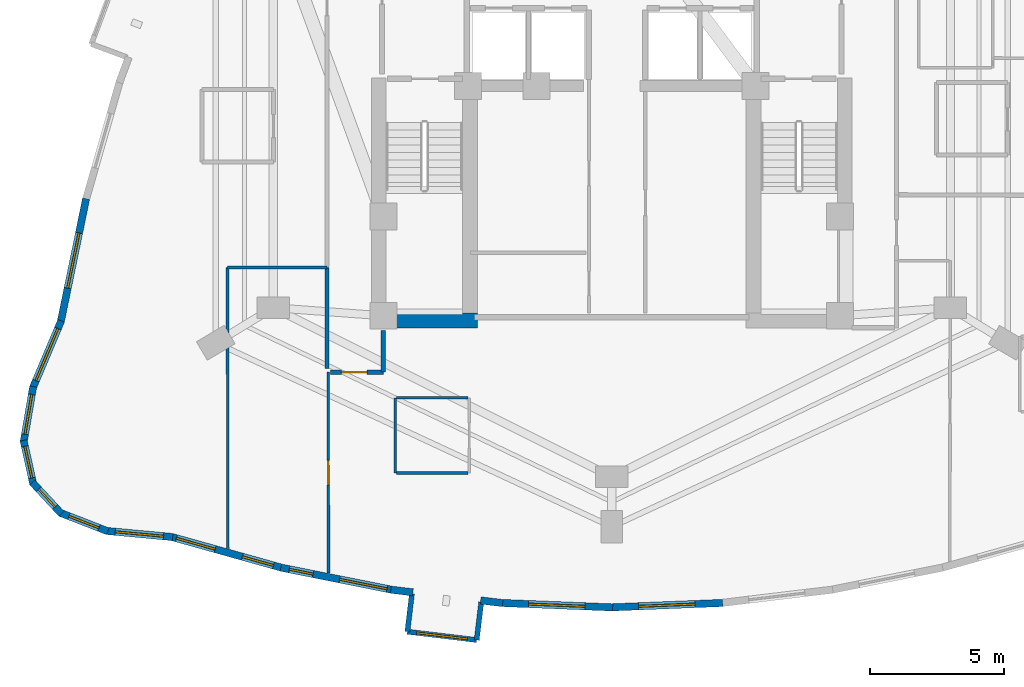
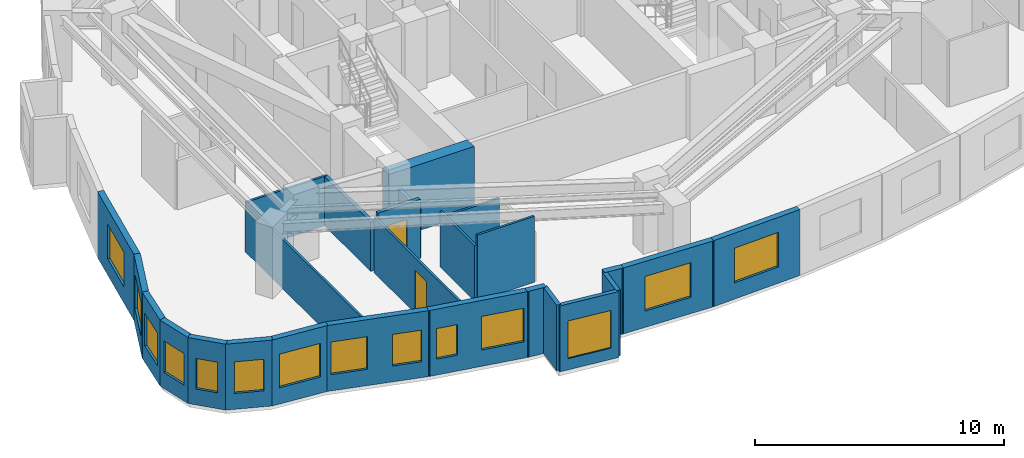
# One storey, part 4 of 10: 26 walls, 14 windows, 2 doors, 16 openings.
"""IFC4 building model written with IfcOpenShell, lengths in metres."""

from ifc_helpers import new_model, si_unit, direction, frame, frame_2d, origin, place, context, subcontext, project, spatial, rectangle, extrude, material, layer, layer_set, type_object, element, fill, save


model = new_model("IFC4")

# Units and contexts
model_context = context("Model", 3, precision=1e-05, world=origin(), true_north=direction((0.0, 1.0)))
body_context = subcontext(model_context, "Body", "Model", "MODEL_VIEW")
ifc_project = project(units=[si_unit("LENGTHUNIT", "METRE"), si_unit("AREAUNIT", "SQUARE_METRE"), si_unit("VOLUMEUNIT", "CUBIC_METRE"), si_unit("PLANEANGLEUNIT", "RADIAN"), si_unit("MASSUNIT", "GRAM", prefix="KILO")], contexts=[model_context])

# Site, building, storey
site_placement = place(None, origin())
site = spatial("IfcSite", under=ifc_project, at=site_placement, CompositionType="ELEMENT")
building_placement = place(site_placement, origin())
building = spatial("IfcBuilding", under=site, at=building_placement, Name="Miruveldt Soraemaru", CompositionType="ELEMENT")
storey_placement = place(building_placement, frame((0.0, 0.0, 121.39990234375)))
storey = spatial("IfcBuildingStorey", under=building, at=storey_placement, Name="L33", CompositionType="ELEMENT", Elevation=121.39990234375)

# Walls
ifc_material_1 = material(Name="White powder-coated aluminium EN AW-6060 T6", Category="aluminium")
ifc_layer_1 = layer(ifc_material_1, 0.18994140625, Name="White powder-coated aluminium EN AW-6060 T6", Category="aluminium")
ifc_layer_set_1 = layer_set([ifc_layer_1], Name="White powder-coated aluminium EN AW-6060 T6")
wall_type_1 = type_object("IfcWallType", Name="WALL-BAY-ALU190", PredefinedType="SOLIDWALL", material=ifc_layer_set_1)
for number, where, z_axis, x_axis, name in (
    (1, (36.5615234375, 25.156005859375, 0.0), (0.0, 0.0, 1.0), (-0.119077659317, -0.992884943511, 0.0), "L33 Bay Window Side Cheek 2L"),
    (2, (38.973388671875, 23.431396484375, 0.0), (0.0, 0.0, 1.0), (0.119077659317, 0.992884943511, 0.0), "L33 Bay Window Side Cheek 2R"),
):
    element("IfcWall", number, at=place(storey_placement, frame(where, z_axis=z_axis, x_axis=x_axis)), inside=storey, type_object=wall_type_1, Name=name, PredefinedType="SOLIDWALL", context=body_context, shape_type="SweptSolid", body=[
        extrude(rectangle(XDim=1.425048828125, YDim=0.18994140625, at=frame_2d((0.71240234375, 0.0))), origin(), (0.0, 0.0, 1.0), 3.235107421875),
    ])

# Wall, opening, window
wall_1_placement = place(storey_placement, frame((36.391845703125, 23.7412109375, 0.0), z_axis=(0.0, 0.0, 1.0), x_axis=(0.99287550549, -0.119156328397, 0.0)))
wall_1 = element("IfcWall", 3, at=wall_1_placement, inside=storey, type_object=wall_type_1, Name="L33 Bay Window Front Frame 2", PredefinedType="SOLIDWALL", context=body_context, shape_type="SweptSolid", body=[
    extrude(rectangle(XDim=2.60009765625, YDim=0.18994140625, at=frame_2d((1.300048828125, 0.0))), origin(), (0.0, 0.0, 1.0), 3.235107421875),
])
opening_1_placement = place(wall_1_placement, frame((0.35009765625, 0.0, 0.550048828125)))
opening_1 = element("IfcOpeningElement", 4, at=opening_1_placement, cuts=wall_1, Name="Opening WN-6", PredefinedType="OPENING", context=body_context, shape_type="SweptSolid", body=[
    extrude(rectangle(XDim=1.89990234375, YDim=1.85009765625, at=frame_2d((0.949951171875, 0.925048828125))), frame((0.0, 0.10498046875, 0.0), z_axis=(0.0, -1.0, 0.0), x_axis=(1.0, 0.0, 0.0)), (0.0, 0.0, 1.0), 0.2099609375),
])
ifc_material_2 = material(Name="Triple low-e insulated glazing", Category="glass")
window_type_1 = type_object("IfcWindowType", Name="WIN-BAYW-1900x1850", PartitioningType="SINGLE_PANEL", PredefinedType="WINDOW", material=ifc_material_2)
window_1_placement = place(opening_1_placement, origin())
window_1 = element("IfcWindow", 5, at=window_1_placement, inside=storey, type_object=window_type_1, Name="L33 Projecting Bay Window 2", OverallHeight=1.85009765625, OverallWidth=1.89990234375, PartitioningType="SINGLE_PANEL", PredefinedType="WINDOW", context=body_context, shape_type="SweptSolid", body=[
    extrude(rectangle(XDim=1.89990234375, YDim=1.85009765625, at=frame_2d((0.949951171875, 0.925048828125))), frame((0.0, 0.030029296875, 0.0), z_axis=(0.0, -1.0, 0.0), x_axis=(1.0, 0.0, 0.0)), (0.0, 0.0, 1.0), 0.06005859375),
])
fill(opening_1, window_1)

# Wall
ifc_material_3 = material(Name="Concrete C70/85 (70 MPa)", Category="concrete")
ifc_layer_2 = layer(ifc_material_3, 0.550048828125, Name="Concrete C70/85 (70 MPa)", Category="concrete")
ifc_layer_set_2 = layer_set([ifc_layer_2], Name="Concrete C70/85 (70 MPa)")
wall_type_2 = type_object("IfcWallType", Name="WALL-CW-550", PredefinedType="SHEAR", material=ifc_layer_set_2)
wall_2_placement = place(storey_placement, frame((35.050048828125, 35.324951171875, 0.0), z_axis=(0.0, 0.0, 1.0), x_axis=(1.0, 0.0, 0.0)))
element("IfcWall", 6, at=wall_2_placement, inside=storey, type_object=wall_type_2, Name="L33 Central Core Shear Wall S1", PredefinedType="SHEAR", context=body_context, shape_type="SweptSolid", body=[
    extrude(rectangle(XDim=3.949951171875, YDim=0.550048828125, at=frame_2d((1.97509765625, 0.0))), origin(), (0.0, 0.0, 1.0), 3.235107421875),
])

# Wall, opening, window
ifc_material_4 = material(Name="Precast concrete C45/55 (45 MPa)", Category="concrete")
ifc_layer_3 = layer(ifc_material_4, 0.27001953125, Name="Precast concrete C45/55 (45 MPa)", Category="concrete")
ifc_layer_set_3 = layer_set([ifc_layer_3], Name="Precast concrete C45/55 (45 MPa)")
wall_type_3 = type_object("IfcWallType", Name="WALL-EXT-PC270", PredefinedType="SOLIDWALL", material=ifc_layer_set_3)
wall_3_placement = place(storey_placement, frame((24.433837890625, 39.861083984375, 0.0), z_axis=(0.0, 0.0, 1.0), x_axis=(-0.201556379957, -0.979476914327, 0.0)))
wall_3 = element("IfcWall", 7, at=wall_3_placement, inside=storey, type_object=wall_type_3, Name="L33 Precast Concrete Facade Wall 14", PredefinedType="SOLIDWALL", context=body_context, shape_type="SweptSolid", body=[
    extrude(rectangle(XDim=4.70947265625, YDim=0.27001953125, at=frame_2d((2.354736328125, 0.0))), origin(), (0.0, 0.0, 1.0), 3.235107421875),
])
opening_2_placement = place(wall_3_placement, frame((1.303955078125, 0.0, 0.800048828125)))
opening_2 = element("IfcOpeningElement", 8, at=opening_2_placement, cuts=wall_3, Name="Opening WN-1", PredefinedType="OPENING", context=body_context, shape_type="SweptSolid", body=[
    extrude(rectangle(XDim=2.10009765625, YDim=1.699951171875, at=frame_2d((1.050048828125, 0.85009765625))), frame((0.0, 0.14501953125, 0.0), z_axis=(0.0, -1.0, 0.0), x_axis=(1.0, 0.0, 0.0)), (0.0, 0.0, 1.0), 0.2900390625),
])
window_type_2 = type_object("IfcWindowType", Name="WIN-PUNCH-2100x1700", PartitioningType="SINGLE_PANEL", PredefinedType="WINDOW", material=ifc_material_2)
window_2_placement = place(opening_2_placement, origin())
window_2 = element("IfcWindow", 9, at=window_2_placement, inside=storey, type_object=window_type_2, Name="L33 Punched Triple-Glazed Window 14.1", OverallHeight=1.699951171875, OverallWidth=2.10009765625, PartitioningType="SINGLE_PANEL", PredefinedType="WINDOW", context=body_context, shape_type="SweptSolid", body=[
    extrude(rectangle(XDim=2.10009765625, YDim=1.699951171875, at=frame_2d((1.050048828125, 0.85009765625))), frame((0.0, 0.030029296875, 0.0), z_axis=(0.0, -1.0, 0.0), x_axis=(1.0, 0.0, 0.0)), (0.0, 0.0, 1.0), 0.06005859375),
])
fill(opening_2, window_2)

wall_4_placement = place(storey_placement, frame((23.505126953125, 35.31494140625, 0.0), z_axis=(0.0, 0.0, 1.0), x_axis=(-0.388620980752, -0.921397706378, 0.0)))
wall_4 = element("IfcWall", 10, at=wall_4_placement, inside=storey, type_object=wall_type_3, Name="L33 Precast Concrete Facade Wall 15", PredefinedType="SOLIDWALL", context=body_context, shape_type="SweptSolid", body=[
    extrude(rectangle(XDim=2.728271484375, YDim=0.27001953125, at=frame_2d((1.3642578125, 0.0))), origin(), (0.0, 0.0, 1.0), 3.235107421875),
])
opening_3_placement = place(wall_4_placement, frame((0.31396484375, 0.0, 0.800048828125)))
opening_3 = element("IfcOpeningElement", 11, at=opening_3_placement, cuts=wall_4, Name="Opening WN-1", PredefinedType="OPENING", context=body_context, shape_type="SweptSolid", body=[
    extrude(rectangle(XDim=2.10009765625, YDim=1.699951171875, at=frame_2d((1.050048828125, 0.85009765625))), frame((0.0, 0.14501953125, 0.0), z_axis=(0.0, -1.0, 0.0), x_axis=(1.0, 0.0, 0.0)), (0.0, 0.0, 1.0), 0.2900390625),
])
window_3_placement = place(opening_3_placement, origin())
window_3 = element("IfcWindow", 12, at=window_3_placement, inside=storey, type_object=window_type_2, Name="L33 Punched Triple-Glazed Window 15.1", OverallHeight=1.699951171875, OverallWidth=2.10009765625, PartitioningType="SINGLE_PANEL", PredefinedType="WINDOW", context=body_context, shape_type="SweptSolid", body=[
    extrude(rectangle(XDim=2.10009765625, YDim=1.699951171875, at=frame_2d((1.050048828125, 0.85009765625))), frame((0.0, 0.030029296875, 0.0), z_axis=(0.0, -1.0, 0.0), x_axis=(1.0, 0.0, 0.0)), (0.0, 0.0, 1.0), 0.06005859375),
])
fill(opening_3, window_3)

wall_5_placement = place(storey_placement, frame((22.46435546875, 32.867919921875, 0.0), z_axis=(0.0, 0.0, 1.0), x_axis=(-0.169234430957, -0.985575825281, 0.0)))
wall_5 = element("IfcWall", 13, at=wall_5_placement, inside=storey, type_object=wall_type_3, Name="L33 Precast Concrete Facade Wall 16", PredefinedType="SOLIDWALL", context=body_context, shape_type="SweptSolid", body=[
    extrude(rectangle(XDim=2.103271484375, YDim=0.27001953125, at=frame_2d((1.0517578125, 0.0))), origin(), (0.0, 0.0, 1.0), 3.235107421875),
])
opening_4_placement = place(wall_5_placement, frame((0.302001953125, 0.0, 0.800048828125)))
opening_4 = element("IfcOpeningElement", 14, at=opening_4_placement, cuts=wall_5, Name="Opening WN-3", PredefinedType="OPENING", context=body_context, shape_type="SweptSolid", body=[
    extrude(rectangle(XDim=1.5, YDim=1.60009765625, at=frame_2d((0.75, 0.800048828125))), frame((0.0, 0.14501953125, 0.0), z_axis=(0.0, -1.0, 0.0), x_axis=(1.0, 0.0, 0.0)), (0.0, 0.0, 1.0), 0.2900390625),
])
window_type_3 = type_object("IfcWindowType", Name="WIN-PUNCH-1500x1600", PartitioningType="SINGLE_PANEL", PredefinedType="WINDOW", material=ifc_material_2)
window_4_placement = place(opening_4_placement, origin())
window_4 = element("IfcWindow", 15, at=window_4_placement, inside=storey, type_object=window_type_3, Name="L33 Punched Triple-Glazed Window 16.1", OverallHeight=1.60009765625, OverallWidth=1.5, PartitioningType="SINGLE_PANEL", PredefinedType="WINDOW", context=body_context, shape_type="SweptSolid", body=[
    extrude(rectangle(XDim=1.5, YDim=1.60009765625, at=frame_2d((0.75, 0.800048828125))), frame((0.0, 0.030029296875, 0.0), z_axis=(0.0, -1.0, 0.0), x_axis=(1.0, 0.0, 0.0)), (0.0, 0.0, 1.0), 0.06005859375),
])
fill(opening_4, window_4)

wall_6_placement = place(storey_placement, frame((22.106689453125, 30.863525390625, 0.0), z_axis=(0.0, 0.0, 1.0), x_axis=(0.215658248495, -0.976468903681, 0.0)))
wall_6 = element("IfcWall", 16, at=wall_6_placement, inside=storey, type_object=wall_type_3, Name="L33 Precast Concrete Facade Wall 17", PredefinedType="SOLIDWALL", context=body_context, shape_type="SweptSolid", body=[
    extrude(rectangle(XDim=1.66650390625, YDim=0.27001953125, at=frame_2d((0.833251953125, 0.0))), origin(), (0.0, 0.0, 1.0), 3.235107421875),
])
opening_5_placement = place(wall_6_placement, frame((0.23291015625, 0.0, 0.780029296875)))
opening_5 = element("IfcOpeningElement", 17, at=opening_5_placement, cuts=wall_6, Name="Opening WN-4", PredefinedType="OPENING", context=body_context, shape_type="SweptSolid", body=[
    extrude(rectangle(XDim=1.199951171875, YDim=1.550048828125, at=frame_2d((0.60009765625, 0.77490234375))), frame((0.0, 0.14501953125, 0.0), z_axis=(0.0, -1.0, 0.0), x_axis=(1.0, 0.0, 0.0)), (0.0, 0.0, 1.0), 0.2900390625),
])
window_type_4 = type_object("IfcWindowType", Name="WIN-PUNCH-1200x1550", PartitioningType="SINGLE_PANEL", PredefinedType="WINDOW", material=ifc_material_2)
window_5_placement = place(opening_5_placement, origin())
window_5 = element("IfcWindow", 18, at=window_5_placement, inside=storey, type_object=window_type_4, Name="L33 Punched Triple-Glazed Window 17.1", OverallHeight=1.550048828125, OverallWidth=1.199951171875, PartitioningType="SINGLE_PANEL", PredefinedType="WINDOW", context=body_context, shape_type="SweptSolid", body=[
    extrude(rectangle(XDim=1.199951171875, YDim=1.550048828125, at=frame_2d((0.60009765625, 0.77490234375))), frame((0.0, 0.030029296875, 0.0), z_axis=(0.0, -1.0, 0.0), x_axis=(1.0, 0.0, 0.0)), (0.0, 0.0, 1.0), 0.06005859375),
])
fill(opening_5, window_5)

wall_7_placement = place(storey_placement, frame((22.434814453125, 29.29638671875, 0.0), z_axis=(0.0, 0.0, 1.0), x_axis=(0.680103285959, -0.733116307572, 0.0)))
wall_7 = element("IfcWall", 19, at=wall_7_placement, inside=storey, type_object=wall_type_3, Name="L33 Precast Concrete Facade Wall 18", PredefinedType="SOLIDWALL", context=body_context, shape_type="SweptSolid", body=[
    extrude(rectangle(XDim=1.5888671875, YDim=0.27001953125, at=frame_2d((0.79443359375, 0.0))), origin(), (0.0, 0.0, 1.0), 3.235107421875),
])
opening_6_placement = place(wall_7_placement, frame((0.343994140625, 0.0, 0.780029296875)))
opening_6 = element("IfcOpeningElement", 20, at=opening_6_placement, cuts=wall_7, Name="Opening WN-7", PredefinedType="OPENING", context=body_context, shape_type="SweptSolid", body=[
    extrude(rectangle(XDim=0.89990234375, YDim=1.5, at=frame_2d((0.449951171875, 0.75))), frame((0.0, 0.14501953125, 0.0), z_axis=(0.0, -1.0, 0.0), x_axis=(1.0, 0.0, 0.0)), (0.0, 0.0, 1.0), 0.2900390625),
])
window_type_5 = type_object("IfcWindowType", Name="WIN-PUNCH-900x1500", PartitioningType="SINGLE_PANEL", PredefinedType="WINDOW", material=ifc_material_2)
window_6_placement = place(opening_6_placement, origin())
window_6 = element("IfcWindow", 21, at=window_6_placement, inside=storey, type_object=window_type_5, Name="L33 Punched Triple-Glazed Window 18.1", OverallHeight=1.5, OverallWidth=0.89990234375, PartitioningType="SINGLE_PANEL", PredefinedType="WINDOW", context=body_context, shape_type="SweptSolid", body=[
    extrude(rectangle(XDim=0.89990234375, YDim=1.5, at=frame_2d((0.449951171875, 0.75))), frame((0.0, 0.030029296875, 0.0), z_axis=(0.0, -1.0, 0.0), x_axis=(1.0, 0.0, 0.0)), (0.0, 0.0, 1.0), 0.06005859375),
])
fill(opening_6, window_6)

wall_8_placement = place(storey_placement, frame((23.458984375, 28.169921875, 0.0), z_axis=(0.0, 0.0, 1.0), x_axis=(0.932274534564, -0.361751561438, 0.0)))
wall_8 = element("IfcWall", 22, at=wall_8_placement, inside=storey, type_object=wall_type_3, Name="L33 Precast Concrete Facade Wall 19", PredefinedType="SOLIDWALL", context=body_context, shape_type="SweptSolid", body=[
    extrude(rectangle(XDim=1.916748046875, YDim=0.27001953125, at=frame_2d((0.95849609375, 0.0))), origin(), (0.0, 0.0, 1.0), 3.235107421875),
])
opening_7_placement = place(wall_8_placement, frame((0.35888671875, 0.0, 0.780029296875)))
opening_7 = element("IfcOpeningElement", 23, at=opening_7_placement, cuts=wall_8, Name="Opening WN-4", PredefinedType="OPENING", context=body_context, shape_type="SweptSolid", body=[
    extrude(rectangle(XDim=1.199951171875, YDim=1.550048828125, at=frame_2d((0.60009765625, 0.77490234375))), frame((0.0, 0.14501953125, 0.0), z_axis=(0.0, -1.0, 0.0), x_axis=(1.0, 0.0, 0.0)), (0.0, 0.0, 1.0), 0.2900390625),
])
window_7_placement = place(opening_7_placement, origin())
window_7 = element("IfcWindow", 24, at=window_7_placement, inside=storey, type_object=window_type_4, Name="L33 Punched Triple-Glazed Window 19.1", OverallHeight=1.550048828125, OverallWidth=1.199951171875, PartitioningType="SINGLE_PANEL", PredefinedType="WINDOW", context=body_context, shape_type="SweptSolid", body=[
    extrude(rectangle(XDim=1.199951171875, YDim=1.550048828125, at=frame_2d((0.60009765625, 0.77490234375))), frame((0.0, 0.030029296875, 0.0), z_axis=(0.0, -1.0, 0.0), x_axis=(1.0, 0.0, 0.0)), (0.0, 0.0, 1.0), 0.06005859375),
])
fill(opening_7, window_7)

wall_9_placement = place(storey_placement, frame((25.178466796875, 27.492431640625, 0.0), z_axis=(0.0, 0.0, 1.0), x_axis=(0.995755492047, -0.092038035932, 0.0)))
wall_9 = element("IfcWall", 25, at=wall_9_placement, inside=storey, type_object=wall_type_3, Name="L33 Precast Concrete Facade Wall 20", PredefinedType="SOLIDWALL", context=body_context, shape_type="SweptSolid", body=[
    extrude(rectangle(XDim=2.49072265625, YDim=0.27001953125, at=frame_2d((1.245361328125, 0.0))), origin(), (0.0, 0.0, 1.0), 3.235107421875),
])
opening_8_placement = place(wall_9_placement, frame((0.345947265625, 0.0, 0.800048828125)))
opening_8 = element("IfcOpeningElement", 26, at=opening_8_placement, cuts=wall_9, Name="Opening WN-2", PredefinedType="OPENING", context=body_context, shape_type="SweptSolid", body=[
    extrude(rectangle(XDim=1.800048828125, YDim=1.64990234375, at=frame_2d((0.89990234375, 0.824951171875))), frame((0.0, 0.14501953125, 0.0), z_axis=(0.0, -1.0, 0.0), x_axis=(1.0, 0.0, 0.0)), (0.0, 0.0, 1.0), 0.2900390625),
])
window_type_6 = type_object("IfcWindowType", Name="WIN-PUNCH-1800x1650", PartitioningType="SINGLE_PANEL", PredefinedType="WINDOW", material=ifc_material_2)
window_8_placement = place(opening_8_placement, origin())
window_8 = element("IfcWindow", 27, at=window_8_placement, inside=storey, type_object=window_type_6, Name="L33 Punched Triple-Glazed Window 20.1", OverallHeight=1.64990234375, OverallWidth=1.800048828125, PartitioningType="SINGLE_PANEL", PredefinedType="WINDOW", context=body_context, shape_type="SweptSolid", body=[
    extrude(rectangle(XDim=1.800048828125, YDim=1.64990234375, at=frame_2d((0.89990234375, 0.824951171875))), frame((0.0, 0.030029296875, 0.0), z_axis=(0.0, -1.0, 0.0), x_axis=(1.0, 0.0, 0.0)), (0.0, 0.0, 1.0), 0.06005859375),
])
fill(opening_8, window_8)

# Wall, openings, windows
wall_10_placement = place(storey_placement, frame((27.590087890625, 27.27587890625, 0.0), z_axis=(0.0, 0.0, 1.0), x_axis=(0.96297692647, -0.269583825714, 0.0)))
wall_10 = element("IfcWall", 28, at=wall_10_placement, inside=storey, type_object=wall_type_3, Name="L33 Precast Concrete Facade Wall 21", PredefinedType="SOLIDWALL", context=body_context, shape_type="SweptSolid", body=[
    extrude(rectangle(XDim=4.321533203125, YDim=0.27001953125, at=frame_2d((2.16064453125, 0.0))), origin(), (0.0, 0.0, 1.0), 3.235107421875),
])
opening_9_placement = place(wall_10_placement, frame((0.2119140625, 0.0, 0.800048828125)))
opening_9 = element("IfcOpeningElement", 29, at=opening_9_placement, cuts=wall_10, Name="Opening WN-3", PredefinedType="OPENING", context=body_context, shape_type="SweptSolid", body=[
    extrude(rectangle(XDim=1.5, YDim=1.60009765625, at=frame_2d((0.75, 0.800048828125))), frame((0.0, 0.14501953125, 0.0), z_axis=(0.0, -1.0, 0.0), x_axis=(1.0, 0.0, 0.0)), (0.0, 0.0, 1.0), 0.2900390625),
])
opening_10_placement = place(wall_10_placement, frame((2.762939453125, 0.0, 0.780029296875)))
opening_10 = element("IfcOpeningElement", 30, at=opening_10_placement, cuts=wall_10, Name="Opening WN-4", PredefinedType="OPENING", context=body_context, shape_type="SweptSolid", body=[
    extrude(rectangle(XDim=1.199951171875, YDim=1.550048828125, at=frame_2d((0.60009765625, 0.77490234375))), frame((0.0, 0.14501953125, 0.0), z_axis=(0.0, -1.0, 0.0), x_axis=(1.0, 0.0, 0.0)), (0.0, 0.0, 1.0), 0.2900390625),
])
window_9_placement = place(opening_10_placement, origin())
window_9 = element("IfcWindow", 31, at=window_9_placement, inside=storey, type_object=window_type_4, Name="L33 Punched Triple-Glazed Window 21.2", OverallHeight=1.550048828125, OverallWidth=1.199951171875, PartitioningType="SINGLE_PANEL", PredefinedType="WINDOW", context=body_context, shape_type="SweptSolid", body=[
    extrude(rectangle(XDim=1.199951171875, YDim=1.550048828125, at=frame_2d((0.60009765625, 0.77490234375))), frame((0.0, 0.030029296875, 0.0), z_axis=(0.0, -1.0, 0.0), x_axis=(1.0, 0.0, 0.0)), (0.0, 0.0, 1.0), 0.06005859375),
])
fill(opening_10, window_9)
window_10_placement = place(opening_9_placement, origin())
window_10 = element("IfcWindow", 32, at=window_10_placement, inside=storey, type_object=window_type_3, Name="L33 Punched Triple-Glazed Window 21.1", OverallHeight=1.60009765625, OverallWidth=1.5, PartitioningType="SINGLE_PANEL", PredefinedType="WINDOW", context=body_context, shape_type="SweptSolid", body=[
    extrude(rectangle(XDim=1.5, YDim=1.60009765625, at=frame_2d((0.75, 0.800048828125))), frame((0.0, 0.030029296875, 0.0), z_axis=(0.0, -1.0, 0.0), x_axis=(1.0, 0.0, 0.0)), (0.0, 0.0, 1.0), 0.06005859375),
])
fill(opening_9, window_10)

wall_11_placement = place(storey_placement, frame((31.68359375, 26.127197265625, 0.0), z_axis=(0.0, 0.0, 1.0), x_axis=(0.980569614244, -0.196171434263, 0.0)))
wall_11 = element("IfcWall", 33, at=wall_11_placement, inside=storey, type_object=wall_type_3, Name="L33 Precast Concrete Facade Wall 22", PredefinedType="SOLIDWALL", context=body_context, shape_type="SweptSolid", body=[
    extrude(rectangle(XDim=4.2451171875, YDim=0.27001953125, at=frame_2d((2.12255859375, 0.0))), origin(), (0.0, 0.0, 1.0), 3.235107421875),
])
opening_11_placement = place(wall_11_placement, frame((0.320068359375, 0.0, 0.780029296875)))
opening_11 = element("IfcOpeningElement", 34, at=opening_11_placement, cuts=wall_11, Name="Opening WN-7", PredefinedType="OPENING", context=body_context, shape_type="SweptSolid", body=[
    extrude(rectangle(XDim=0.89990234375, YDim=1.5, at=frame_2d((0.449951171875, 0.75))), frame((0.0, 0.14501953125, 0.0), z_axis=(0.0, -1.0, 0.0), x_axis=(1.0, 0.0, 0.0)), (0.0, 0.0, 1.0), 0.2900390625),
])
opening_12_placement = place(wall_11_placement, frame((2.23291015625, 0.0, 0.800048828125)))
opening_12 = element("IfcOpeningElement", 35, at=opening_12_placement, cuts=wall_11, Name="Opening WN-2", PredefinedType="OPENING", context=body_context, shape_type="SweptSolid", body=[
    extrude(rectangle(XDim=1.800048828125, YDim=1.64990234375, at=frame_2d((0.89990234375, 0.824951171875))), frame((0.0, 0.14501953125, 0.0), z_axis=(0.0, -1.0, 0.0), x_axis=(1.0, 0.0, 0.0)), (0.0, 0.0, 1.0), 0.2900390625),
])
window_11_placement = place(opening_12_placement, origin())
window_11 = element("IfcWindow", 36, at=window_11_placement, inside=storey, type_object=window_type_6, Name="L33 Punched Triple-Glazed Window 22.2", OverallHeight=1.64990234375, OverallWidth=1.800048828125, PartitioningType="SINGLE_PANEL", PredefinedType="WINDOW", context=body_context, shape_type="SweptSolid", body=[
    extrude(rectangle(XDim=1.800048828125, YDim=1.64990234375, at=frame_2d((0.89990234375, 0.824951171875))), frame((0.0, 0.030029296875, 0.0), z_axis=(0.0, -1.0, 0.0), x_axis=(1.0, 0.0, 0.0)), (0.0, 0.0, 1.0), 0.06005859375),
])
fill(opening_12, window_11)
window_12_placement = place(opening_11_placement, origin())
window_12 = element("IfcWindow", 37, at=window_12_placement, inside=storey, type_object=window_type_5, Name="L33 Punched Triple-Glazed Window 22.1", OverallHeight=1.5, OverallWidth=0.89990234375, PartitioningType="SINGLE_PANEL", PredefinedType="WINDOW", context=body_context, shape_type="SweptSolid", body=[
    extrude(rectangle(XDim=0.89990234375, YDim=1.5, at=frame_2d((0.449951171875, 0.75))), frame((0.0, 0.030029296875, 0.0), z_axis=(0.0, -1.0, 0.0), x_axis=(1.0, 0.0, 0.0)), (0.0, 0.0, 1.0), 0.06005859375),
])
fill(opening_11, window_12)

# Walls
wall_12_placement = place(storey_placement, frame((35.777099609375, 25.3056640625, 0.0), z_axis=(0.0, 0.0, 1.0), x_axis=(0.992857261486, -0.119308249149, 0.0)))
element("IfcWall", 38, at=wall_12_placement, inside=storey, type_object=wall_type_3, Name="L33 Precast Pier Wall 23A", PredefinedType="SOLIDWALL", context=body_context, shape_type="SweptSolid", body=[
    extrude(rectangle(XDim=0.82666015625, YDim=0.27001953125, at=frame_2d((0.413330078125, 0.0))), origin(), (0.0, 0.0, 1.0), 3.235107421875),
])
wall_13_placement = place(storey_placement, frame((39.119873046875, 24.904541015625, 0.0), z_axis=(0.0, 0.0, 1.0), x_axis=(0.992861463322, -0.119273277188, 0.0)))
element("IfcWall", 39, at=wall_13_placement, inside=storey, type_object=wall_type_3, Name="L33 Precast Pier Wall 23B", PredefinedType="SOLIDWALL", context=body_context, shape_type="SweptSolid", body=[
    extrude(rectangle(XDim=0.826904296875, YDim=0.27001953125, at=frame_2d((0.41357421875, 0.0))), origin(), (0.0, 0.0, 1.0), 3.235107421875),
])

# Wall, opening, window
wall_14_placement = place(storey_placement, frame((39.87109375, 24.8115234375, 0.0), z_axis=(0.0, 0.0, 1.0), x_axis=(0.999201426601, -0.039956339662, 0.0)))
wall_14 = element("IfcWall", 40, at=wall_14_placement, inside=storey, type_object=wall_type_3, Name="L33 Precast Concrete Facade Wall 24", PredefinedType="SOLIDWALL", context=body_context, shape_type="SweptSolid", body=[
    extrude(rectangle(XDim=4.167236328125, YDim=0.27001953125, at=frame_2d((2.08349609375, 0.0))), origin(), (0.0, 0.0, 1.0), 3.235107421875),
])
opening_13_placement = place(wall_14_placement, frame((1.032958984375, 0.0, 0.800048828125)))
opening_13 = element("IfcOpeningElement", 41, at=opening_13_placement, cuts=wall_14, Name="Opening WN-1", PredefinedType="OPENING", context=body_context, shape_type="SweptSolid", body=[
    extrude(rectangle(XDim=2.10009765625, YDim=1.699951171875, at=frame_2d((1.050048828125, 0.85009765625))), frame((0.0, 0.14501953125, 0.0), z_axis=(0.0, -1.0, 0.0), x_axis=(1.0, 0.0, 0.0)), (0.0, 0.0, 1.0), 0.2900390625),
])
window_13_placement = place(opening_13_placement, origin())
window_13 = element("IfcWindow", 42, at=window_13_placement, inside=storey, type_object=window_type_2, Name="L33 Punched Triple-Glazed Window 24.1", OverallHeight=1.699951171875, OverallWidth=2.10009765625, PartitioningType="SINGLE_PANEL", PredefinedType="WINDOW", context=body_context, shape_type="SweptSolid", body=[
    extrude(rectangle(XDim=2.10009765625, YDim=1.699951171875, at=frame_2d((1.050048828125, 0.85009765625))), frame((0.0, 0.030029296875, 0.0), z_axis=(0.0, -1.0, 0.0), x_axis=(1.0, 0.0, 0.0)), (0.0, 0.0, 1.0), 0.06005859375),
])
fill(opening_13, window_13)

wall_15_placement = place(storey_placement, frame((43.965087890625, 24.64501953125, 0.0), z_axis=(0.0, 0.0, 1.0), x_axis=(0.999201426601, 0.039956339662, 0.0)))
wall_15 = element("IfcWall", 43, at=wall_15_placement, inside=storey, type_object=wall_type_3, Name="L33 Precast Concrete Facade Wall 25", PredefinedType="SOLIDWALL", context=body_context, shape_type="SweptSolid", body=[
    extrude(rectangle(XDim=4.167236328125, YDim=0.27001953125, at=frame_2d((2.08349609375, 0.0))), origin(), (0.0, 0.0, 1.0), 3.235107421875),
])
opening_14_placement = place(wall_15_placement, frame((1.032958984375, 0.0, 0.800048828125)))
opening_14 = element("IfcOpeningElement", 44, at=opening_14_placement, cuts=wall_15, Name="Opening WN-1", PredefinedType="OPENING", context=body_context, shape_type="SweptSolid", body=[
    extrude(rectangle(XDim=2.10009765625, YDim=1.699951171875, at=frame_2d((1.050048828125, 0.85009765625))), frame((0.0, 0.14501953125, 0.0), z_axis=(0.0, -1.0, 0.0), x_axis=(1.0, 0.0, 0.0)), (0.0, 0.0, 1.0), 0.2900390625),
])
window_14_placement = place(opening_14_placement, origin())
window_14 = element("IfcWindow", 45, at=window_14_placement, inside=storey, type_object=window_type_2, Name="L33 Punched Triple-Glazed Window 25.1", OverallHeight=1.699951171875, OverallWidth=2.10009765625, PartitioningType="SINGLE_PANEL", PredefinedType="WINDOW", context=body_context, shape_type="SweptSolid", body=[
    extrude(rectangle(XDim=2.10009765625, YDim=1.699951171875, at=frame_2d((1.050048828125, 0.85009765625))), frame((0.0, 0.030029296875, 0.0), z_axis=(0.0, -1.0, 0.0), x_axis=(1.0, 0.0, 0.0)), (0.0, 0.0, 1.0), 0.06005859375),
])
fill(opening_14, window_14)

# Wall, opening, door
ifc_material_5 = material(Name="Gypsum plasterboard lining", Category="gypsum")
ifc_layer_4 = layer(ifc_material_5, 0.10009765625, Name="Gypsum plasterboard lining", Category="gypsum")
ifc_layer_set_4 = layer_set([ifc_layer_4], Name="Gypsum plasterboard lining")
wall_type_4 = type_object("IfcWallType", Name="WALL-INT-P100", PredefinedType="PARTITIONING", material=ifc_layer_set_4)
wall_16_placement = place(storey_placement, frame((33.444091796875, 33.39990234375, 0.0), z_axis=(0.0, 0.0, 1.0), x_axis=(0.001861707588, -0.999998267021, 0.0)))
wall_16 = element("IfcWall", 46, at=wall_16_placement, inside=storey, type_object=wall_type_4, Name="L33 Partition Wall 34", PredefinedType="PARTITIONING", context=body_context, shape_type="SweptSolid", body=[
    extrude(rectangle(XDim=7.474853515625, YDim=0.10009765625, at=frame_2d((3.7373046875, 0.0))), origin(), (0.0, 0.0, 1.0), 2.72314453125),
])
opening_15_placement = place(wall_16_placement, frame((3.278076171875, 0.0, 0.0)))
opening_15 = element("IfcOpeningElement", 47, at=opening_15_placement, cuts=wall_16, Name="Opening D3A", PredefinedType="OPENING", context=body_context, shape_type="SweptSolid", body=[
    extrude(rectangle(XDim=0.919921875, YDim=2.10009765625, at=frame_2d((0.4599609375, 1.050048828125))), frame((0.0, 0.06005859375, 0.0), z_axis=(0.0, -1.0, 0.0), x_axis=(1.0, 0.0, 0.0)), (0.0, 0.0, 1.0), 0.1201171875),
])
ifc_material_6 = material(Name="Anodised aluminium EN AW-6063 T6", Category="aluminium")
door_type_1 = type_object("IfcDoorType", Name="DOOR-INT-920", OperationType="NOTDEFINED", PredefinedType="DOOR", material=ifc_material_6)
door_1_placement = place(opening_15_placement, origin())
door_1 = element("IfcDoor", 48, at=door_1_placement, inside=storey, type_object=door_type_1, Name="L33 Unit 3304 BD3 Door", OperationType="SINGLE_SWING_LEFT", OverallHeight=2.10009765625, OverallWidth=0.919921875, PredefinedType="DOOR", context=body_context, shape_type="SweptSolid", body=[
    extrude(rectangle(XDim=0.919921875, YDim=2.10009765625, at=frame_2d((0.4599609375, 1.050048828125))), frame((0.0, 0.02490234375, 0.0), z_axis=(0.0, -1.0, 0.0), x_axis=(1.0, 0.0, 0.0)), (0.0, 0.0, 1.0), 0.050048828125),
])
fill(opening_15, door_1)

# Walls
wall_17_placement = place(storey_placement, frame((29.712890625, 26.8369140625, 0.0), z_axis=(0.0, 0.0, 1.0), x_axis=(-0.001797550556, 0.999998384405, 0.0)))
element("IfcWall", 49, at=wall_17_placement, inside=storey, type_object=wall_type_4, Name="L33 Partition Wall 59", PredefinedType="PARTITIONING", context=body_context, shape_type="SweptSolid", body=[
    extrude(rectangle(XDim=10.4580078125, YDim=0.10009765625, at=frame_2d((5.22900390625, 0.0))), origin(), (0.0, 0.0, 1.0), 2.423095703125),
])
wall_18_placement = place(storey_placement, frame((29.694091796875, 37.294921875, 0.0), z_axis=(0.0, 0.0, 1.0), x_axis=(1.0, 0.0, 0.0)))
element("IfcWall", 50, at=wall_18_placement, inside=storey, type_object=wall_type_4, Name="L33 Partition Wall 60", PredefinedType="PARTITIONING", context=body_context, shape_type="SweptSolid", body=[
    extrude(rectangle(XDim=3.705810546875, YDim=0.10009765625, at=frame_2d((1.85302734375, 0.0))), origin(), (0.0, 0.0, 1.0), 2.423095703125),
])
wall_19_placement = place(storey_placement, frame((35.944091796875, 32.447998046875, 0.0), z_axis=(0.0, 0.0, 1.0), x_axis=(0.0, -1.0, 0.0)))
element("IfcWall", 51, at=wall_19_placement, inside=storey, type_object=wall_type_4, Name="L33 Partition Wall 32", PredefinedType="PARTITIONING", context=body_context, shape_type="SweptSolid", body=[
    extrude(rectangle(XDim=2.800048828125, YDim=0.10009765625, at=frame_2d((1.39990234375, 0.0))), origin(), (0.0, 0.0, 1.0), 2.72314453125),
])
wall_20_placement = place(storey_placement, frame((38.64404296875, 32.447998046875, 0.0), z_axis=(0.0, 0.0, 1.0), x_axis=(-1.0, 0.0, 0.0)))
element("IfcWall", 52, at=wall_20_placement, inside=storey, type_object=wall_type_4, Name="L33 Partition Wall 31", PredefinedType="PARTITIONING", context=body_context, shape_type="SweptSolid", body=[
    extrude(rectangle(XDim=2.650146484375, YDim=0.10009765625, at=frame_2d((1.3251953125, 0.0))), origin(), (0.0, 0.0, 1.0), 2.423095703125),
])
wall_21_placement = place(storey_placement, frame((35.993896484375, 29.64794921875, 0.0), z_axis=(0.0, 0.0, 1.0), x_axis=(1.0, 0.0, 0.0)))
element("IfcWall", 53, at=wall_21_placement, inside=storey, type_object=wall_type_4, Name="L33 Partition Wall 33", PredefinedType="PARTITIONING", context=body_context, shape_type="SweptSolid", body=[
    extrude(rectangle(XDim=2.650146484375, YDim=0.10009765625, at=frame_2d((1.3251953125, 0.0))), origin(), (0.0, 0.0, 1.0), 3.235107421875),
])

# Wall, opening, door
ifc_material_7 = material(Name="Concrete C40/50 (40 MPa)", Category="concrete")
ifc_layer_5 = layer(ifc_material_7, 0.159912109375, Name="Concrete C40/50 (40 MPa)", Category="concrete")
ifc_layer_set_5 = layer_set([ifc_layer_5], Name="Concrete C40/50 (40 MPa)")
wall_type_5 = type_object("IfcWallType", Name="WALL-INT-RC160", PredefinedType="SOLIDWALL", material=ifc_layer_set_5)
wall_22_placement = place(storey_placement, frame((33.529052734375, 33.39990234375, 0.0), z_axis=(0.0, 0.0, 1.0), x_axis=(1.0, 0.0, 0.0)))
wall_22 = element("IfcWall", 54, at=wall_22_placement, inside=storey, type_object=wall_type_5, Name="L33 Partition Wall 4", PredefinedType="SOLIDWALL", context=body_context, shape_type="SweptSolid", body=[
    extrude(rectangle(XDim=1.970947265625, YDim=0.159912109375, at=frame_2d((0.9853515625, 0.0))), origin(), (0.0, 0.0, 1.0), 2.923095703125),
])
opening_16_placement = place(wall_22_placement, frame((0.407958984375, 0.0, 0.0)))
opening_16 = element("IfcOpeningElement", 55, at=opening_16_placement, cuts=wall_22, Name="Opening FD2", PredefinedType="OPENING", context=body_context, shape_type="SweptSolid", body=[
    extrude(rectangle(XDim=0.949951171875, YDim=2.14990234375, at=frame_2d((0.47509765625, 1.074951171875))), frame((0.0, 0.08984375, 0.0), z_axis=(0.0, -1.0, 0.0), x_axis=(1.0, 0.0, 0.0)), (0.0, 0.0, 1.0), 0.179931640625),
])
door_type_2 = type_object("IfcDoorType", Name="DOOR-FD2-950", OperationType="NOTDEFINED", PredefinedType="DOOR", material=ifc_material_6)
door_2_placement = place(opening_16_placement, origin())
door_2 = element("IfcDoor", 56, at=door_2_placement, inside=storey, type_object=door_type_2, Name="L33 Unit 3304 Entrance Fire Door", OperationType="SINGLE_SWING_LEFT", OverallHeight=2.14990234375, OverallWidth=0.949951171875, PredefinedType="DOOR", context=body_context, shape_type="SweptSolid", body=[
    extrude(rectangle(XDim=0.949951171875, YDim=2.14990234375, at=frame_2d((0.47509765625, 1.074951171875))), frame((0.0, 0.02490234375, 0.0), z_axis=(0.0, -1.0, 0.0), x_axis=(1.0, 0.0, 0.0)), (0.0, 0.0, 1.0), 0.050048828125),
])
fill(opening_16, door_2)

# Walls
wall_23_placement = place(storey_placement, frame((33.39990234375, 37.294921875, 0.0), z_axis=(0.0, 0.0, 1.0), x_axis=(0.0, -1.0, 0.0)))
element("IfcWall", 57, at=wall_23_placement, inside=storey, type_object=wall_type_5, Name="L33 Partition Wall 6", PredefinedType="SOLIDWALL", context=body_context, shape_type="SweptSolid", body=[
    extrude(rectangle(XDim=3.7548828125, YDim=0.159912109375, at=frame_2d((1.87744140625, 0.0))), origin(), (0.0, 0.0, 1.0), 2.423095703125),
])
wall_24_placement = place(storey_placement, frame((35.5, 33.39990234375, 0.0), z_axis=(0.0, 0.0, 1.0), x_axis=(0.0, 1.0, 0.0)))
element("IfcWall", 58, at=wall_24_placement, inside=storey, type_object=wall_type_5, Name="L33 Partition Wall 5", PredefinedType="SOLIDWALL", context=body_context, shape_type="SweptSolid", body=[
    extrude(rectangle(XDim=1.544189453125, YDim=0.159912109375, at=frame_2d((0.77197265625, 0.0))), origin(), (0.0, 0.0, 1.0), 2.423095703125),
])

save(model, "model.ifc")
